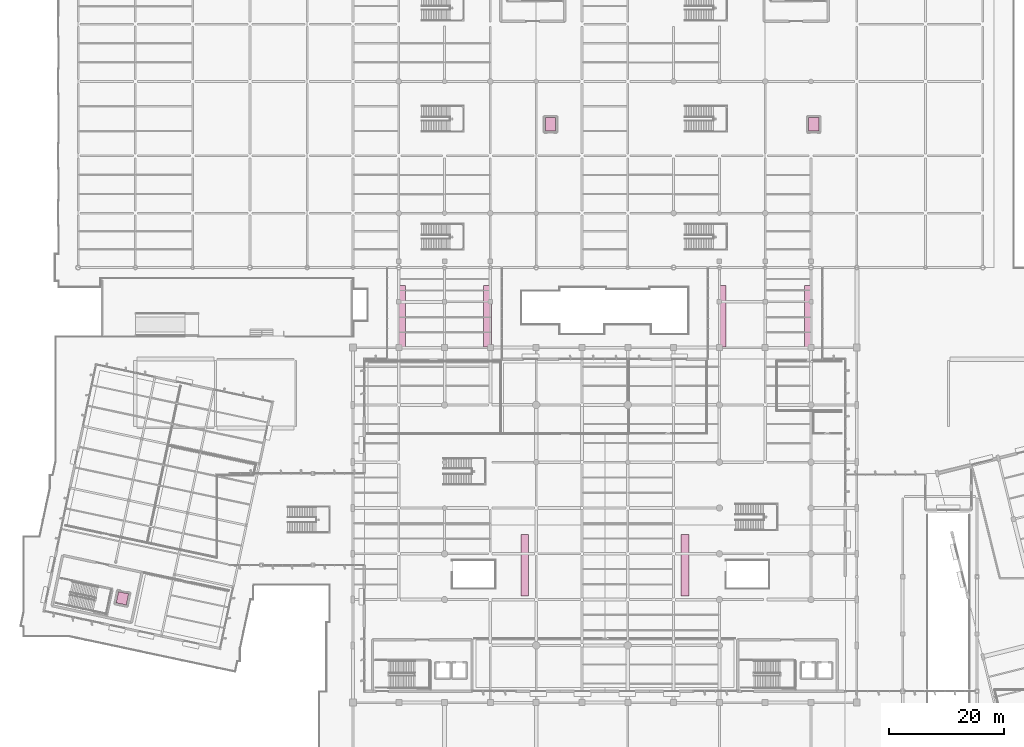
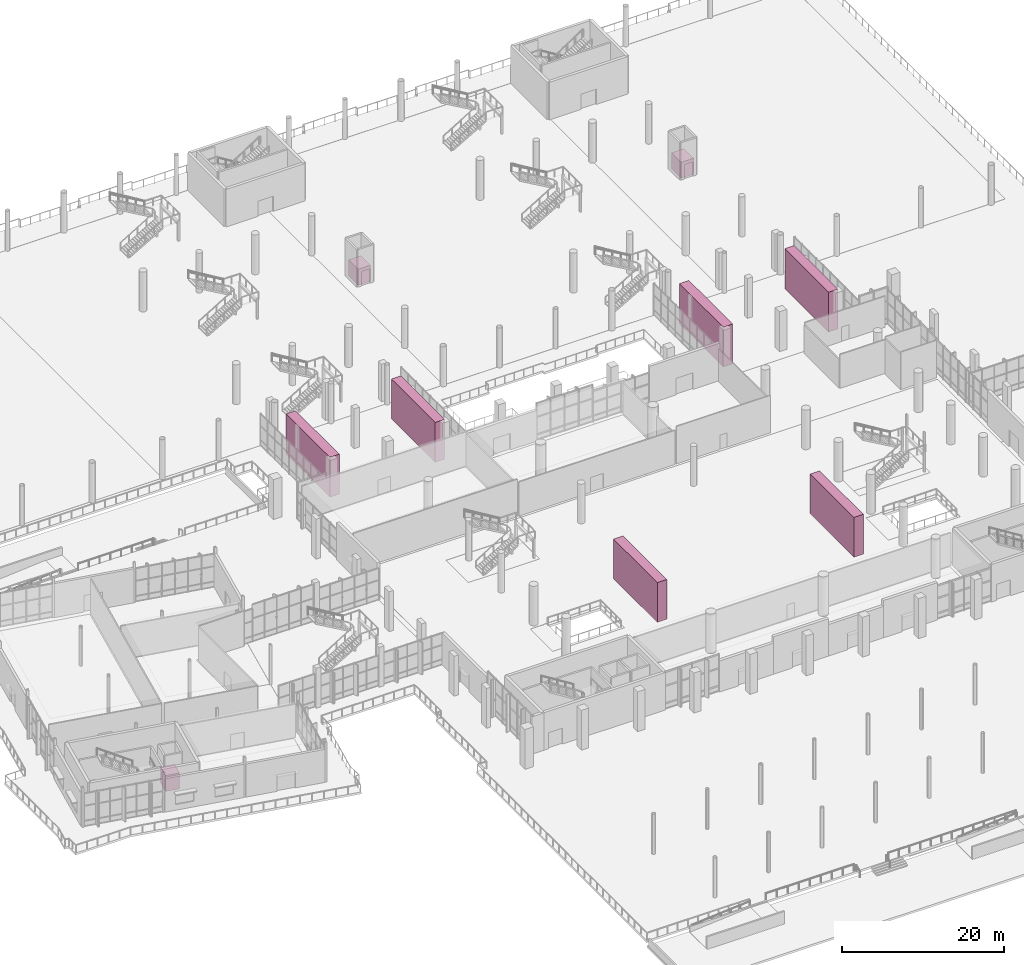
# One storey, part 163 of 163: 9 transport elements.
"""IFC4 building model written with IfcOpenShell, lengths in metres."""

from ifc_helpers import new_model, si_unit, direction, frame, origin, origin_2d, place, context, subcontext, project, spatial, rectangle, extrude, material, type_object, element, save


model = new_model("IFC4")

# Units and contexts
model_context = context("Model", 3, precision=1e-05, world=origin(), true_north=direction((0.0, 1.0)))
body_context = subcontext(model_context, "Body", "Model", "MODEL_VIEW")
ifc_project = project(units=[si_unit("LENGTHUNIT", "METRE"), si_unit("AREAUNIT", "SQUARE_METRE"), si_unit("VOLUMEUNIT", "CUBIC_METRE"), si_unit("PLANEANGLEUNIT", "RADIAN"), si_unit("MASSUNIT", "GRAM", prefix="KILO")], contexts=[model_context])

# Site, building, storey
site_placement = place(None, origin())
site = spatial("IfcSite", under=ifc_project, at=site_placement, CompositionType="ELEMENT")
building_placement = place(site_placement, origin())
building = spatial("IfcBuilding", under=site, at=building_placement, Name="Khorjan Park Terminus", CompositionType="ELEMENT")
storey_placement = place(building_placement, origin())
storey = spatial("IfcBuildingStorey", under=building, at=storey_placement, Name="L00", CompositionType="ELEMENT", Elevation=0.0)

# Transport elements
ifc_material_1 = material(Name="Steel S355", Category="steel")
transport_element_type_1 = type_object("IfcTransportElementType", Name="ESC-TRN-1000", PredefinedType="ESCALATOR", material=ifc_material_1)
for number, where, z_axis, x_axis, name in (
    (1, (56.5, 93.5, 0.0), (0.0, 0.0, 1.0), (1.0, 0.0, 0.0), "Heavy-duty transit escalator ES-10 (ESC-01)"),
    (2, (71.5, 93.5, 0.0), (0.0, 0.0, 1.0), (1.0, 0.0, 0.0), "Heavy-duty transit escalator ES-10 (ESC-02)"),
    (3, (112.5, 93.5, 0.0), (0.0, 0.0, 1.0), (1.0, 0.0, 0.0), "Heavy-duty transit escalator ES-10 (ESC-03)"),
    (4, (127.5, 93.5, 0.0), (0.0, 0.0, 1.0), (1.0, 0.0, 0.0), "Heavy-duty transit escalator ES-10 (ESC-04)"),
    (5, (78.0, 50.0, 0.0), (0.0, 0.0, 1.0), (1.0, 0.0, 0.0), "Heavy-duty transit escalator ES-10 (ESC-05)"),
    (6, (106.0, 50.0, 0.0), (0.0, 0.0, 1.0), (1.0, 0.0, 0.0), "Heavy-duty transit escalator ES-10 (ESC-06)"),
):
    element("IfcTransportElement", number, at=place(storey_placement, frame(where, z_axis=z_axis, x_axis=x_axis)), inside=storey, type_object=transport_element_type_1, Name=name, PredefinedType="ESCALATOR", context=body_context, shape_type="SweptSolid", body=[
        extrude(rectangle(XDim=1.35, YDim=10.8, at=origin_2d()), origin(), (0.0, 0.0, 1.0), 6.0),
    ])
ifc_material_2 = material(Name="Stainless Steel & Laminated Glass", Category="steel")
transport_element_type_2 = type_object("IfcTransportElementType", Name="LFT-BRG-1600", PredefinedType="ELEVATOR", material=ifc_material_2)
transport_element_placement = place(storey_placement, frame((7.7324, 44.2235, 0.0), z_axis=(0.0, 0.0, 1.0), x_axis=(0.978147600734, -0.207911690818, 0.0)))
element("IfcTransportElement", 7, at=transport_element_placement, inside=storey, type_object=transport_element_type_2, Name="Passenger lift car L11", PredefinedType="ELEVATOR", context=body_context, shape_type="SweptSolid", body=[
    extrude(rectangle(XDim=1.8, YDim=2.0, at=origin_2d()), origin(), (0.0, 0.0, 1.0), 2.4),
])
for number, where, z_axis, x_axis, name in (
    (8, (82.5, 127.0, 0.0), (0.0, 0.0, 1.0), (1.0, 0.0, 0.0), "Passenger lift car L09"),
    (9, (128.5, 127.0, 0.0), (0.0, 0.0, 1.0), (1.0, 0.0, 0.0), "Passenger lift car L10"),
):
    element("IfcTransportElement", number, at=place(storey_placement, frame(where, z_axis=z_axis, x_axis=x_axis)), inside=storey, type_object=transport_element_type_2, Name=name, PredefinedType="ELEVATOR", context=body_context, shape_type="SweptSolid", body=[
        extrude(rectangle(XDim=1.8, YDim=2.4, at=origin_2d()), origin(), (0.0, 0.0, 1.0), 2.4),
    ])

save(model, "model.ifc")
